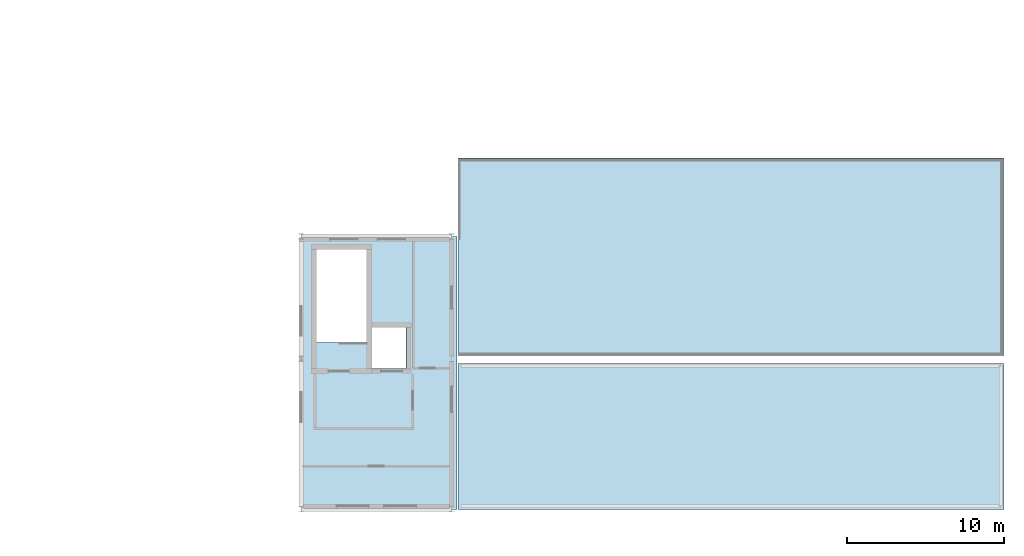
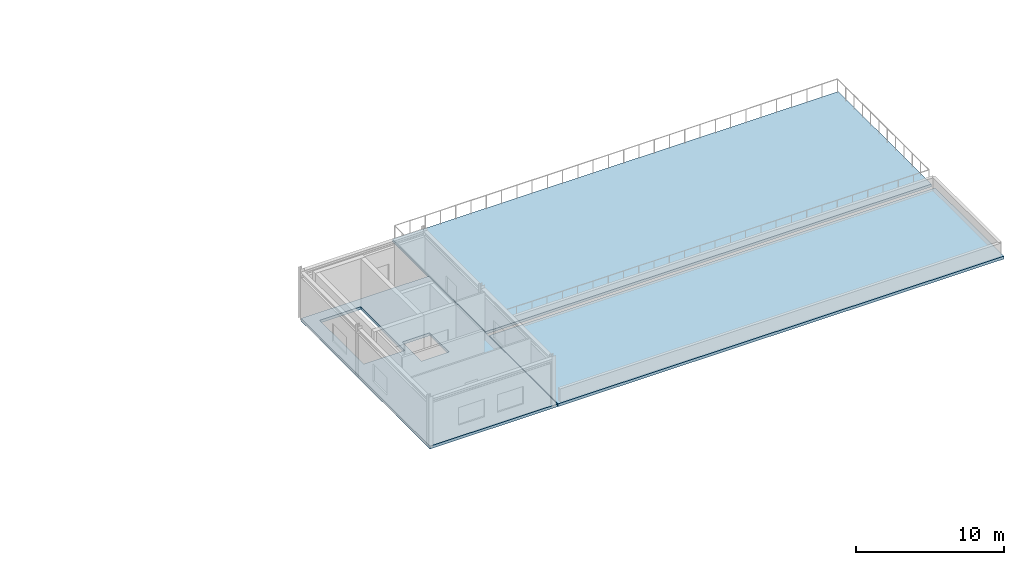
# One storey, part 57 of 76: 3 slabs.
"""IFC4 building model written with IfcOpenShell, lengths in metres."""

from ifc_helpers import new_model, si_unit, direction, frame, origin, place, context, subcontext, project, spatial, polyline, outline, extrude, material, layer, layer_set, type_object, element, save


model = new_model("IFC4")

# Units and contexts
model_context = context("Model", 3, precision=1e-05, world=origin(), true_north=direction((0.0, 1.0)))
body_context = subcontext(model_context, "Body", "Model", "MODEL_VIEW")
ifc_project = project(units=[si_unit("LENGTHUNIT", "METRE"), si_unit("AREAUNIT", "SQUARE_METRE"), si_unit("VOLUMEUNIT", "CUBIC_METRE"), si_unit("PLANEANGLEUNIT", "RADIAN"), si_unit("MASSUNIT", "GRAM", prefix="KILO")], contexts=[model_context])

# Site, building, storey
site_placement = place(None, origin())
site = spatial("IfcSite", under=ifc_project, at=site_placement, CompositionType="ELEMENT")
building_placement = place(site_placement, origin())
building = spatial("IfcBuilding", under=site, at=building_placement, Name="Nordkorset Police Headquarters", CompositionType="ELEMENT")
storey_placement = place(building_placement, frame((0.0, 0.0, 13.64990234375)))
storey = spatial("IfcBuildingStorey", under=building, at=storey_placement, Name="L03", CompositionType="ELEMENT", Elevation=13.64990234375)

# Slabs
ifc_material_1 = material(Name="Concrete C35/45", Category="concrete")
ifc_layer_1 = layer(ifc_material_1, 0.22998046875, Name="Concrete C35/45")
ifc_layer_set_1 = layer_set([ifc_layer_1], Name="Concrete C35/45")
slab_type_1 = type_object("IfcSlabType", Name="Slab_Lab_230", PredefinedType="FLOOR", material=ifc_layer_set_1)
slab_1_placement = place(storey_placement, frame((0.0, 0.0, -0.22998046875)))
element("IfcSlab", 1, at=slab_1_placement, inside=storey, type_object=slab_type_1, Name="Custody Roof Dayroom Floor Slab L03", PredefinedType="FLOOR", context=body_context, shape_type="SweptSolid", body=[
    extrude(outline(polyline([(136.35009765625, 17.39990234375), (136.35009765625, 0.0), (126.39990234375, 0.0), (126.39990234375, 17.39990234375), (136.35009765625, 17.39990234375)]), holes=[polyline([(127.375, 16.574951171875), (127.375, 10.6279296875), (130.574951171875, 10.6279296875), (130.574951171875, 16.574951171875), (127.375, 16.574951171875)]), polyline([(133.074951171875, 11.574951171875), (130.925048828125, 11.574951171875), (130.925048828125, 8.97509765625), (133.074951171875, 8.97509765625), (133.074951171875, 11.574951171875)])]), origin(), (0.0, 0.0, 1.0), 0.22998046875),
])
ifc_material_2 = material(Name="Concrete C35/45", Category="concrete")
ifc_layer_2 = layer(ifc_material_2, 0.235107421875, Name="Concrete C35/45")
ifc_layer_set_2 = layer_set([ifc_layer_2], Name="Concrete C35/45")
slab_type_2 = type_object("IfcSlabType", Name="Slab_RoofFlat_235", PredefinedType="ROOF", material=ifc_layer_set_2)
slab_2_placement = place(storey_placement, frame((0.0, 0.0, -0.23486328125)))
element("IfcSlab", 2, at=slab_2_placement, inside=storey, type_object=slab_type_2, Name="Custody Block Ceiling Deck V6", PredefinedType="ROOF", context=body_context, shape_type="SweptSolid", body=[
    extrude(outline(polyline([(136.39990234375, 0.0), (171.199951171875, 0.0), (171.199951171875, 9.300048828125), (136.39990234375, 9.300048828125), (136.39990234375, 0.0)])), origin(), (0.0, 0.0, 1.0), 0.23486328125),
])
ifc_material_3 = material(Name="Concrete C35/45", Category="concrete")
ifc_layer_3 = layer(ifc_material_3, 0.215087890625, Name="Concrete C35/45")
ifc_layer_set_3 = layer_set([ifc_layer_3], Name="Concrete C35/45")
slab_type_3 = type_object("IfcSlabType", Name="Slab_Terrace_215", PredefinedType="FLOOR", material=ifc_layer_set_3)
slab_3_placement = place(storey_placement, frame((0.0, 0.0, -0.21484375)))
element("IfcSlab", 3, at=slab_3_placement, inside=storey, type_object=slab_type_3, Name="Planted Custody Roof Garden Terrace", PredefinedType="FLOOR", context=body_context, shape_type="SweptSolid", body=[
    extrude(outline(polyline([(136.39990234375, 9.800048828125), (171.199951171875, 9.800048828125), (171.199951171875, 22.39990234375), (136.39990234375, 22.39990234375), (136.39990234375, 9.800048828125)])), origin(), (0.0, 0.0, 1.0), 0.21484375),
])

save(model, "model.ifc")
